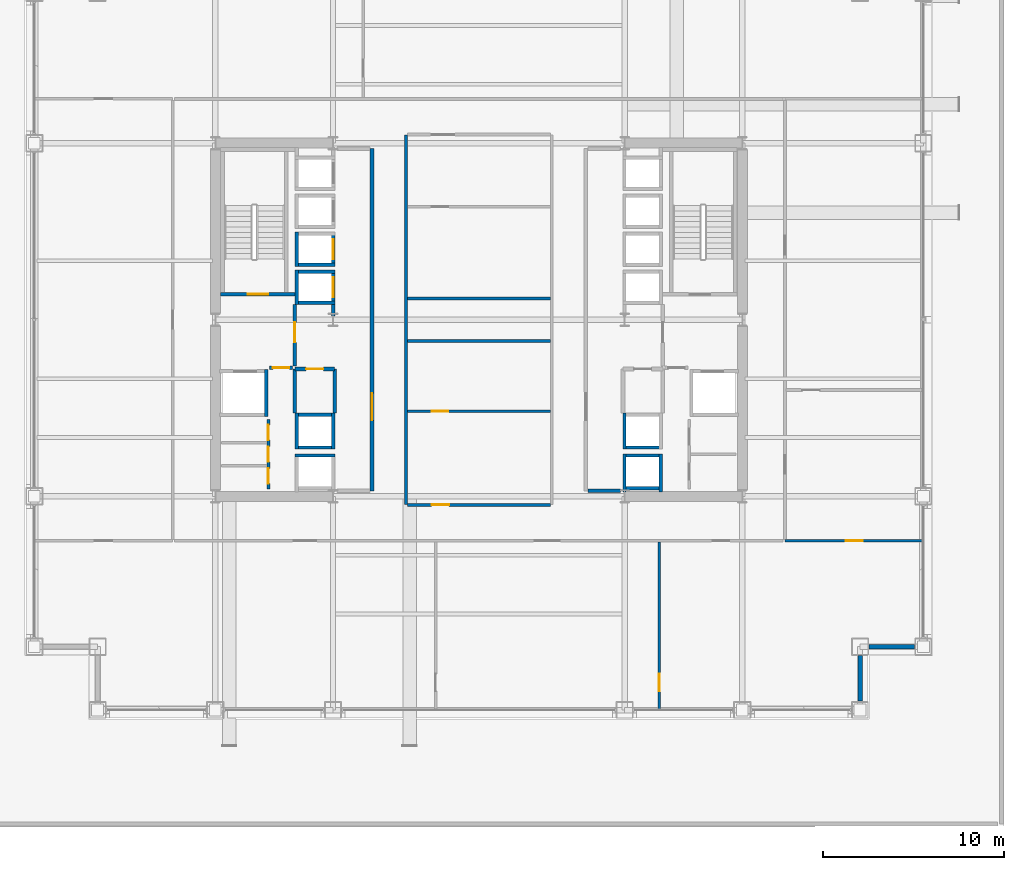
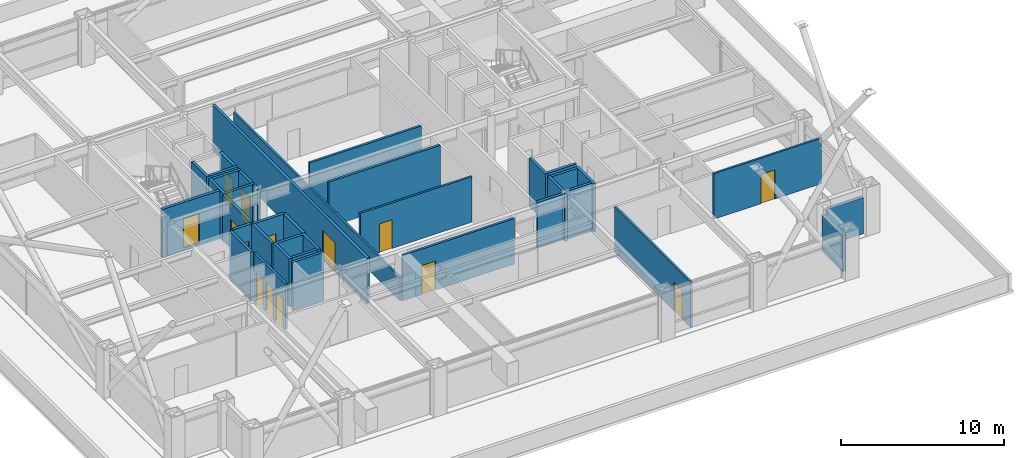
# One storey, part 30 of 33: 37 walls, 14 doors, 14 openings.
"""IFC4 building model written with IfcOpenShell, lengths in metres."""

from ifc_helpers import new_model, si_unit, direction, frame, frame_2d, origin, place, context, subcontext, project, spatial, rectangle, extrude, material, layer, layer_set, type_object, element, fill, save


model = new_model("IFC4")

# Units and contexts
model_context = context("Model", 3, precision=1e-05, world=origin(), true_north=direction((0.0, 1.0)))
body_context = subcontext(model_context, "Body", "Model", "MODEL_VIEW")
ifc_project = project(units=[si_unit("LENGTHUNIT", "METRE"), si_unit("AREAUNIT", "SQUARE_METRE"), si_unit("VOLUMEUNIT", "CUBIC_METRE"), si_unit("PLANEANGLEUNIT", "RADIAN"), si_unit("MASSUNIT", "GRAM", prefix="KILO")], contexts=[model_context])

# Site, building, storey
site_placement = place(None, origin())
site = spatial("IfcSite", under=ifc_project, at=site_placement, CompositionType="ELEMENT")
building_placement = place(site_placement, origin())
building = spatial("IfcBuilding", under=site, at=building_placement, Name="Brelmoor Portico Tower", CompositionType="ELEMENT")
storey_placement = place(building_placement, frame((0.0, 0.0, 24.0)))
storey = spatial("IfcBuildingStorey", under=building, at=storey_placement, Name="L05", CompositionType="ELEMENT", Elevation=24.0)

# Walls
ifc_material_1 = material(Name="Precast Concrete C40 Insulated Facade Wall", Category="concrete")
ifc_layer_1 = layer(ifc_material_1, 0.25)
ifc_layer_set_1 = layer_set([ifc_layer_1], Name="Precast Concrete C40 Insulated Facade Wall")
wall_type_1 = type_object("IfcWallType", Name="WL-EXT-250", PredefinedType="STANDARD", material=ifc_layer_set_1)
for number, where, z_axis, x_axis, name in (
    (1, (21.534912109375, -18.050048828125, 0.0), (0.0, 0.0, 1.0), (1.0, 0.0, 0.0), "L05 Corner Notch Facade Wall NSEH1"),
    (2, (21.050048828125, -21.06494140625, 0.0), (0.0, 0.0, 1.0), (0.0, 1.0, 0.0), "L05 Corner Notch Facade Wall NSEV1"),
):
    element("IfcWall", number, at=place(storey_placement, frame(where, z_axis=z_axis, x_axis=x_axis)), inside=storey, type_object=wall_type_1, Name=name, PredefinedType="STANDARD", context=body_context, shape_type="SweptSolid", body=[
        extrude(rectangle(XDim=2.530029296875, YDim=0.25, at=frame_2d((1.26513671875, 0.0))), origin(), (0.0, 0.0, 1.0), 2.699951171875),
    ])
ifc_material_2 = material(Name="Insulated Stud Suite Partition", Category="gypsum")
ifc_layer_2 = layer(ifc_material_2, 0.139892578125)
ifc_layer_set_2 = layer_set([ifc_layer_2], Name="Insulated Stud Suite Partition")
wall_type_2 = type_object("IfcWallType", Name="WL-PART-140", PredefinedType="PARTITIONING", material=ifc_layer_set_2)
wall_1_placement = place(storey_placement, frame((-4.02001953125, -10.199951171875, 0.0), z_axis=(0.0, 0.0, 1.0), x_axis=(0.0, 1.0, 0.0)))
element("IfcWall", 3, at=wall_1_placement, inside=storey, type_object=wall_type_2, Name="L05 Central Suite West Wall", PredefinedType="PARTITIONING", context=body_context, shape_type="SweptSolid", body=[
    extrude(rectangle(XDim=20.39990234375, YDim=0.139892578125, at=frame_2d((10.199951171875, 0.0))), origin(), (0.0, 0.0, 1.0), 1.739990234375),
])

# Wall, opening, door
wall_2_placement = place(storey_placement, frame((-3.949951171875, -5.050048828125, 0.0), z_axis=(0.0, 0.0, 1.0), x_axis=(1.0, 0.0, 0.0)))
wall_2 = element("IfcWall", 4, at=wall_2_placement, inside=storey, type_object=wall_type_2, Name="L05 Central Print Divider", PredefinedType="PARTITIONING", context=body_context, shape_type="SweptSolid", body=[
    extrude(rectangle(XDim=7.89990234375, YDim=0.139892578125, at=frame_2d((3.949951171875, 0.0))), origin(), (0.0, 0.0, 1.0), 3.39990234375),
])
opening_1_placement = place(wall_2_placement, frame((1.35009765625, 0.0, 0.0)))
opening_1 = element("IfcOpeningElement", 5, at=opening_1_placement, cuts=wall_2, Name="Opening D-IN1", PredefinedType="OPENING", context=body_context, shape_type="SweptSolid", body=[
    extrude(rectangle(XDim=0.89990234375, YDim=2.14990234375, at=frame_2d((0.449951171875, 1.074951171875))), frame((0.0, 0.079833984375, 0.0), z_axis=(0.0, -1.0, 0.0), x_axis=(1.0, 0.0, 0.0)), (0.0, 0.0, 1.0), 0.159912109375),
])
ifc_material_3 = material(Name="Lacquered Timber Suite Door", Category="wood")
door_type_1 = type_object("IfcDoorType", Name="DR-INT-900", OperationType="NOTDEFINED", PredefinedType="DOOR", material=ifc_material_3)
door_1_placement = place(opening_1_placement, origin())
door_1 = element("IfcDoor", 6, at=door_1_placement, inside=storey, type_object=door_type_1, Name="D-0231 L05 Central Print Studio Door", OperationType="SINGLE_SWING_RIGHT", OverallHeight=2.14990234375, OverallWidth=0.89990234375, PredefinedType="DOOR", context=body_context, shape_type="SweptSolid", body=[
    extrude(rectangle(XDim=0.89990234375, YDim=2.14990234375, at=frame_2d((0.449951171875, 1.074951171875))), frame((0.0, 0.02490234375, 0.0), z_axis=(0.0, -1.0, 0.0), x_axis=(1.0, 0.0, 0.0)), (0.0, 0.0, 1.0), 0.050048828125),
])
fill(opening_1, door_1)

wall_3_placement = place(storey_placement, frame((9.955078125, -21.56005859375, 0.0), z_axis=(0.0, 0.0, 1.0), x_axis=(0.0, 1.0, 0.0)))
wall_3 = element("IfcWall", 7, at=wall_3_placement, inside=storey, type_object=wall_type_2, Name="L05 South Suite Partition 2", PredefinedType="PARTITIONING", context=body_context, shape_type="SweptSolid", body=[
    extrude(rectangle(XDim=9.300048828125, YDim=0.139892578125, at=frame_2d((4.64990234375, 0.0))), origin(), (0.0, 0.0, 1.0), 3.39990234375),
])
opening_2_placement = place(wall_3_placement, frame((1.050048828125, 0.0, 0.0)))
opening_2 = element("IfcOpeningElement", 8, at=opening_2_placement, cuts=wall_3, Name="Opening D-IN2", PredefinedType="OPENING", context=body_context, shape_type="SweptSolid", body=[
    extrude(rectangle(XDim=0.9599609375, YDim=2.179931640625, at=frame_2d((0.47998046875, 1.08984375))), frame((0.0, 0.079833984375, 0.0), z_axis=(0.0, -1.0, 0.0), x_axis=(1.0, 0.0, 0.0)), (0.0, 0.0, 1.0), 0.159912109375),
])
door_type_2 = type_object("IfcDoorType", Name="DR-INT-950", OperationType="NOTDEFINED", PredefinedType="DOOR", material=ifc_material_3)
door_2_placement = place(opening_2_placement, origin())
door_2 = element("IfcDoor", 9, at=door_2_placement, inside=storey, type_object=door_type_2, Name="D-0251 L05 South Suite Connecting Door 2", OperationType="SINGLE_SWING_RIGHT", OverallHeight=2.179931640625, OverallWidth=0.9599609375, PredefinedType="DOOR", context=body_context, shape_type="SweptSolid", body=[
    extrude(rectangle(XDim=0.9599609375, YDim=2.179931640625, at=frame_2d((0.47998046875, 1.08984375))), frame((0.0, 0.02490234375, 0.0), z_axis=(0.0, -1.0, 0.0), x_axis=(1.0, 0.0, 0.0)), (0.0, 0.0, 1.0), 0.050048828125),
])
fill(opening_2, door_2)

wall_4_placement = place(storey_placement, frame((16.89990234375, -12.199951171875, 0.0), z_axis=(0.0, 0.0, 1.0), x_axis=(1.0, 0.0, 0.0)))
wall_4 = element("IfcWall", 10, at=wall_4_placement, inside=storey, type_object=wall_type_2, Name="L05 South Outer Closure ER", PredefinedType="PARTITIONING", context=body_context, shape_type="SweptSolid", body=[
    extrude(rectangle(XDim=7.66015625, YDim=0.139892578125, at=frame_2d((3.830078125, 0.0))), origin(), (0.0, 0.0, 1.0), 3.39990234375),
])
opening_3_placement = place(wall_4_placement, frame((3.35009765625, 0.0, 0.0)))
opening_3 = element("IfcOpeningElement", 11, at=opening_3_placement, cuts=wall_4, Name="Opening D-IN2", PredefinedType="OPENING", context=body_context, shape_type="SweptSolid", body=[
    extrude(rectangle(XDim=0.9599609375, YDim=2.179931640625, at=frame_2d((0.47998046875, 1.08984375))), frame((0.0, 0.079833984375, 0.0), z_axis=(0.0, -1.0, 0.0), x_axis=(1.0, 0.0, 0.0)), (0.0, 0.0, 1.0), 0.159912109375),
])
door_3_placement = place(opening_3_placement, origin())
door_3 = element("IfcDoor", 12, at=door_3_placement, inside=storey, type_object=door_type_2, Name="D-0254 L05 ER South Corner Suite Door", OperationType="SINGLE_SWING_RIGHT", OverallHeight=2.179931640625, OverallWidth=0.9599609375, PredefinedType="DOOR", context=body_context, shape_type="SweptSolid", body=[
    extrude(rectangle(XDim=0.9599609375, YDim=2.179931640625, at=frame_2d((0.47998046875, 1.08984375))), frame((0.0, 0.02490234375, 0.0), z_axis=(0.0, -1.0, 0.0), x_axis=(1.0, 0.0, 0.0)), (0.0, 0.0, 1.0), 0.050048828125),
])
fill(opening_3, door_3)

# Wall, openings, doors
ifc_material_4 = material(Name="Twin-Frame Acoustic Partition", Category="gypsum")
ifc_layer_3 = layer(ifc_material_4, 0.159912109375)
ifc_layer_set_3 = layer_set([ifc_layer_3], Name="Twin-Frame Acoustic Partition")
wall_type_3 = type_object("IfcWallType", Name="WL-PART-160", PredefinedType="PARTITIONING", material=ifc_layer_set_3)
wall_5_placement = place(storey_placement, frame((-11.6201171875, -9.35009765625, 0.0), z_axis=(0.0, 0.0, 1.0), x_axis=(0.0, 1.0, 0.0)))
wall_5 = element("IfcWall", 13, at=wall_5_placement, inside=storey, type_object=wall_type_3, Name="L05 W Core Service Front Wall", PredefinedType="PARTITIONING", context=body_context, shape_type="SweptSolid", body=[
    extrude(rectangle(XDim=3.85009765625, YDim=0.159912109375, at=frame_2d((1.925048828125, 0.0))), origin(), (0.0, 0.0, 1.0), 3.39990234375),
])
opening_4_placement = place(wall_5_placement, frame((0.300048828125, 0.0, 0.0)))
opening_4 = element("IfcOpeningElement", 14, at=opening_4_placement, cuts=wall_5, Name="Opening D-WC1", PredefinedType="OPENING", context=body_context, shape_type="SweptSolid", body=[
    extrude(rectangle(XDim=0.85009765625, YDim=2.1201171875, at=frame_2d((0.425048828125, 1.06005859375))), frame((0.0, 0.08984375, 0.0), z_axis=(0.0, -1.0, 0.0), x_axis=(1.0, 0.0, 0.0)), (0.0, 0.0, 1.0), 0.179931640625),
])
opening_5_placement = place(wall_5_placement, frame((1.5, 0.0, 0.0)))
opening_5 = element("IfcOpeningElement", 15, at=opening_5_placement, cuts=wall_5, Name="Opening D-WC1", PredefinedType="OPENING", context=body_context, shape_type="SweptSolid", body=[
    extrude(rectangle(XDim=0.85009765625, YDim=2.1201171875, at=frame_2d((0.425048828125, 1.06005859375))), frame((0.0, 0.08984375, 0.0), z_axis=(0.0, -1.0, 0.0), x_axis=(1.0, 0.0, 0.0)), (0.0, 0.0, 1.0), 0.179931640625),
])
opening_6_placement = place(wall_5_placement, frame((2.699951171875, 0.0, 0.0)))
opening_6 = element("IfcOpeningElement", 16, at=opening_6_placement, cuts=wall_5, Name="Opening D-WC1", PredefinedType="OPENING", context=body_context, shape_type="SweptSolid", body=[
    extrude(rectangle(XDim=0.85009765625, YDim=2.1201171875, at=frame_2d((0.425048828125, 1.06005859375))), frame((0.0, 0.08984375, 0.0), z_axis=(0.0, -1.0, 0.0), x_axis=(1.0, 0.0, 0.0)), (0.0, 0.0, 1.0), 0.179931640625),
])
ifc_material_5 = material(Name="Moisture-Resistant Laminate WC Door", Category="timber")
door_type_3 = type_object("IfcDoorType", Name="DR-WC-850", OperationType="NOTDEFINED", PredefinedType="DOOR", material=ifc_material_5)
door_4_placement = place(opening_4_placement, origin())
door_4 = element("IfcDoor", 17, at=door_4_placement, inside=storey, type_object=door_type_3, Name="D-0236 L05 W Accessible WC Door", OperationType="SINGLE_SWING_LEFT", OverallHeight=2.1201171875, OverallWidth=0.85009765625, PredefinedType="DOOR", context=body_context, shape_type="SweptSolid", body=[
    extrude(rectangle(XDim=0.85009765625, YDim=2.1201171875, at=frame_2d((0.425048828125, 1.06005859375))), frame((0.0, 0.02490234375, 0.0), z_axis=(0.0, -1.0, 0.0), x_axis=(1.0, 0.0, 0.0)), (0.0, 0.0, 1.0), 0.050048828125),
])
fill(opening_4, door_4)
door_5_placement = place(opening_5_placement, origin())
door_5 = element("IfcDoor", 18, at=door_5_placement, inside=storey, type_object=door_type_3, Name="D-0237 L05 W Staff WC Door", OperationType="SINGLE_SWING_RIGHT", OverallHeight=2.1201171875, OverallWidth=0.85009765625, PredefinedType="DOOR", context=body_context, shape_type="SweptSolid", body=[
    extrude(rectangle(XDim=0.85009765625, YDim=2.1201171875, at=frame_2d((0.425048828125, 1.06005859375))), frame((0.0, 0.02490234375, 0.0), z_axis=(0.0, -1.0, 0.0), x_axis=(1.0, 0.0, 0.0)), (0.0, 0.0, 1.0), 0.050048828125),
])
fill(opening_5, door_5)
door_6_placement = place(opening_6_placement, origin())
door_6 = element("IfcDoor", 19, at=door_6_placement, inside=storey, type_object=door_type_3, Name="D-0238 L05 W Cleaner Store Door", OperationType="SINGLE_SWING_LEFT", OverallHeight=2.1201171875, OverallWidth=0.85009765625, PredefinedType="DOOR", context=body_context, shape_type="SweptSolid", body=[
    extrude(rectangle(XDim=0.85009765625, YDim=2.1201171875, at=frame_2d((0.425048828125, 1.06005859375))), frame((0.0, 0.02490234375, 0.0), z_axis=(0.0, -1.0, 0.0), x_axis=(1.0, 0.0, 0.0)), (0.0, 0.0, 1.0), 0.050048828125),
])
fill(opening_6, door_6)

# Walls
for number, where, z_axis, x_axis, name in (
    (20, (-3.949951171875, 1.179931640625, 0.0), (0.0, 0.0, 1.0), (1.0, 0.0, 0.0), "L05 Central Meeting South Wall"),
    (21, (-3.949951171875, -1.179931640625, 0.0), (0.0, 0.0, 1.0), (1.0, 0.0, 0.0), "L05 Central Pantry North Wall"),
):
    element("IfcWall", number, at=place(storey_placement, frame(where, z_axis=z_axis, x_axis=x_axis)), inside=storey, type_object=wall_type_3, Name=name, PredefinedType="PARTITIONING", context=body_context, shape_type="SweptSolid", body=[
        extrude(rectangle(XDim=7.89990234375, YDim=0.159912109375, at=frame_2d((3.949951171875, 0.0))), origin(), (0.0, 0.0, 1.0), 3.39990234375),
    ])

# Wall, opening, door
wall_6_placement = place(storey_placement, frame((-3.949951171875, -10.219970703125, 0.0), z_axis=(0.0, 0.0, 1.0), x_axis=(1.0, 0.0, 0.0)))
wall_6 = element("IfcWall", 22, at=wall_6_placement, inside=storey, type_object=wall_type_3, Name="L05 Central Pantry Corridor Wall", PredefinedType="PARTITIONING", context=body_context, shape_type="SweptSolid", body=[
    extrude(rectangle(XDim=7.89990234375, YDim=0.159912109375, at=frame_2d((3.949951171875, 0.0))), origin(), (0.0, 0.0, 1.0), 3.39990234375),
])
opening_7_placement = place(wall_6_placement, frame((1.35009765625, 0.0, 0.0)))
opening_7 = element("IfcOpeningElement", 23, at=opening_7_placement, cuts=wall_6, Name="Opening D-IN2", PredefinedType="OPENING", context=body_context, shape_type="SweptSolid", body=[
    extrude(rectangle(XDim=0.9599609375, YDim=2.179931640625, at=frame_2d((0.47998046875, 1.08984375))), frame((0.0, 0.08984375, 0.0), z_axis=(0.0, -1.0, 0.0), x_axis=(1.0, 0.0, 0.0)), (0.0, 0.0, 1.0), 0.179931640625),
])
door_7_placement = place(opening_7_placement, origin())
door_7 = element("IfcDoor", 24, at=door_7_placement, inside=storey, type_object=door_type_2, Name="D-0230 L05 Staff Pantry Door", OperationType="SINGLE_SWING_RIGHT", OverallHeight=2.179931640625, OverallWidth=0.9599609375, PredefinedType="DOOR", context=body_context, shape_type="SweptSolid", body=[
    extrude(rectangle(XDim=0.9599609375, YDim=2.179931640625, at=frame_2d((0.47998046875, 1.08984375))), frame((0.0, 0.02490234375, 0.0), z_axis=(0.0, -1.0, 0.0), x_axis=(1.0, 0.0, 0.0)), (0.0, 0.0, 1.0), 0.050048828125),
])
fill(opening_7, door_7)

ifc_material_6 = material(Name="Double-Stud Gypsum Fire Partition", Category="gypsum")
ifc_layer_4 = layer(ifc_material_6, 0.199951171875)
ifc_layer_set_4 = layer_set([ifc_layer_4], Name="Double-Stud Gypsum Fire Partition")
wall_type_4 = type_object("IfcWallType", Name="WL-PART-200", PredefinedType="PARTITIONING", material=ifc_layer_set_4)
wall_7_placement = place(storey_placement, frame((-5.89990234375, -9.449951171875, 0.0), z_axis=(0.0, 0.0, 1.0), x_axis=(0.0, 1.0, 0.0)))
wall_7 = element("IfcWall", 25, at=wall_7_placement, inside=storey, type_object=wall_type_4, Name="L05 W Core Lobby Compartment Wall", PredefinedType="PARTITIONING", context=body_context, shape_type="SweptSolid", body=[
    extrude(rectangle(XDim=18.89990234375, YDim=0.199951171875, at=frame_2d((9.449951171875, 0.0))), origin(), (0.0, 0.0, 1.0), 3.39990234375),
])
opening_8_placement = place(wall_7_placement, frame((3.89990234375, 0.0, 0.0)))
opening_8 = element("IfcOpeningElement", 26, at=opening_8_placement, cuts=wall_7, Name="Opening D-LB1", PredefinedType="OPENING", context=body_context, shape_type="SweptSolid", body=[
    extrude(rectangle(XDim=1.5, YDim=2.199951171875, at=frame_2d((0.75, 1.10009765625))), frame((0.0, 0.10986328125, 0.0), z_axis=(0.0, -1.0, 0.0), x_axis=(1.0, 0.0, 0.0)), (0.0, 0.0, 1.0), 0.219970703125),
])
ifc_material_7 = material(Name="Double-Leaf Glazed Steel Fire Door", Category="steel")
door_type_4 = type_object("IfcDoorType", Name="DR-LOBBY-1500", OperationType="NOTDEFINED", PredefinedType="DOOR", material=ifc_material_7)
door_8_placement = place(opening_8_placement, origin())
door_8 = element("IfcDoor", 27, at=door_8_placement, inside=storey, type_object=door_type_4, Name="D-0244 L05 W Lift Lobby Main Door", OperationType="DOUBLE_DOOR_SINGLE_SWING", OverallHeight=2.199951171875, OverallWidth=1.5, PredefinedType="DOOR", context=body_context, shape_type="SweptSolid", body=[
    extrude(rectangle(XDim=1.5, YDim=2.199951171875, at=frame_2d((0.75, 1.10009765625))), frame((0.0, 0.02490234375, 0.0), z_axis=(0.0, -1.0, 0.0), x_axis=(1.0, 0.0, 0.0)), (0.0, 0.0, 1.0), 0.050048828125),
])
fill(opening_8, door_8)

wall_8_placement = place(storey_placement, frame((-10.159912109375, -2.550048828125, 0.0), z_axis=(0.0, 0.0, 1.0), x_axis=(0.0, 1.0, 0.0)))
wall_8 = element("IfcWall", 28, at=wall_8_placement, inside=storey, type_object=wall_type_4, Name="L05 W Firefighting Lobby Wall", PredefinedType="PARTITIONING", context=body_context, shape_type="SweptSolid", body=[
    extrude(rectangle(XDim=3.400146484375, YDim=0.199951171875, at=frame_2d((1.7001953125, 0.0))), origin(), (0.0, 0.0, 1.0), 3.39990234375),
])
opening_9_placement = place(wall_8_placement, frame((1.300048828125, 0.0, 0.0)))
opening_9 = element("IfcOpeningElement", 29, at=opening_9_placement, cuts=wall_8, Name="Opening D-FR1", PredefinedType="OPENING", context=body_context, shape_type="SweptSolid", body=[
    extrude(rectangle(XDim=1.10009765625, YDim=2.14990234375, at=frame_2d((0.550048828125, 1.074951171875))), frame((0.0, 0.10986328125, 0.0), z_axis=(0.0, -1.0, 0.0), x_axis=(1.0, 0.0, 0.0)), (0.0, 0.0, 1.0), 0.219970703125),
])
ifc_material_8 = material(Name="Painted Galvanised Steel Fire Door", Category="steel")
door_type_5 = type_object("IfcDoorType", Name="DR-FIRE-1100", OperationType="NOTDEFINED", PredefinedType="DOOR", material=ifc_material_8)
door_9_placement = place(opening_9_placement, origin())
door_9 = element("IfcDoor", 30, at=door_9_placement, inside=storey, type_object=door_type_5, Name="D-0242 L05 W Firefighting Lobby Door", OperationType="SINGLE_SWING_RIGHT", OverallHeight=2.14990234375, OverallWidth=1.10009765625, PredefinedType="DOOR", context=body_context, shape_type="SweptSolid", body=[
    extrude(rectangle(XDim=1.10009765625, YDim=2.14990234375, at=frame_2d((0.550048828125, 1.074951171875))), frame((0.0, 0.02490234375, 0.0), z_axis=(0.0, -1.0, 0.0), x_axis=(1.0, 0.0, 0.0)), (0.0, 0.0, 1.0), 0.050048828125),
])
fill(opening_9, door_9)

wall_9_placement = place(storey_placement, frame((-10.280029296875, -2.64990234375, 0.0), z_axis=(0.0, 0.0, 1.0), x_axis=(-1.0, 0.0, 0.0)))
wall_9 = element("IfcWall", 31, at=wall_9_placement, inside=storey, type_object=wall_type_4, Name="L05 W Firefighting Lobby South Wall", PredefinedType="PARTITIONING", context=body_context, shape_type="SweptSolid", body=[
    extrude(rectangle(XDim=1.27001953125, YDim=0.199951171875, at=frame_2d((0.635009765625, 0.0))), origin(), (0.0, 0.0, 1.0), 3.39990234375),
])
opening_10_placement = place(wall_9_placement, frame((0.18505859375, 0.0, 0.0)))
opening_10 = element("IfcOpeningElement", 32, at=opening_10_placement, cuts=wall_9, Name="Opening D-IN1", PredefinedType="OPENING", context=body_context, shape_type="SweptSolid", body=[
    extrude(rectangle(XDim=0.89990234375, YDim=2.14990234375, at=frame_2d((0.449951171875, 1.074951171875))), frame((0.0, 0.10986328125, 0.0), z_axis=(0.0, -1.0, 0.0), x_axis=(1.0, 0.0, 0.0)), (0.0, 0.0, 1.0), 0.219970703125),
])
door_10_placement = place(opening_10_placement, origin())
door_10 = element("IfcDoor", 33, at=door_10_placement, inside=storey, type_object=door_type_1, Name="D-0235 L05 W Core Service Vestibule Door", OperationType="SINGLE_SWING_LEFT", OverallHeight=2.14990234375, OverallWidth=0.89990234375, PredefinedType="DOOR", context=body_context, shape_type="SweptSolid", body=[
    extrude(rectangle(XDim=0.89990234375, YDim=2.14990234375, at=frame_2d((0.449951171875, 1.074951171875))), frame((0.0, 0.02490234375, 0.0), z_axis=(0.0, -1.0, 0.0), x_axis=(1.0, 0.0, 0.0)), (0.0, 0.0, 1.0), 0.050048828125),
])
fill(opening_10, door_10)

wall_10_placement = place(storey_placement, frame((-7.9599609375, -2.719970703125, 0.0), z_axis=(0.0, 0.0, 1.0), x_axis=(-1.0, 0.0, 0.0)))
wall_10 = element("IfcWall", 34, at=wall_10_placement, inside=storey, type_object=wall_type_4, Name="L05 W Electrical Switchgear Closet Wall", PredefinedType="PARTITIONING", context=body_context, shape_type="SweptSolid", body=[
    extrude(rectangle(XDim=2.199951171875, YDim=0.199951171875, at=frame_2d((1.10009765625, 0.0))), origin(), (0.0, 0.0, 1.0), 3.39990234375),
])
opening_11_placement = place(wall_10_placement, frame((0.6201171875, 0.0, 0.0)))
opening_11 = element("IfcOpeningElement", 35, at=opening_11_placement, cuts=wall_10, Name="Opening D-FR4", PredefinedType="OPENING", context=body_context, shape_type="SweptSolid", body=[
    extrude(rectangle(XDim=0.949951171875, YDim=2.10009765625, at=frame_2d((0.47509765625, 1.050048828125))), frame((0.0, 0.10986328125, 0.0), z_axis=(0.0, -1.0, 0.0), x_axis=(1.0, 0.0, 0.0)), (0.0, 0.0, 1.0), 0.219970703125),
])
ifc_material_9 = material(Name="Painted Galvanised Steel Riser Door", Category="steel")
door_type_6 = type_object("IfcDoorType", Name="DR-FIRE-950", OperationType="NOTDEFINED", PredefinedType="DOOR", material=ifc_material_9)
door_11_placement = place(opening_11_placement, origin())
door_11 = element("IfcDoor", 36, at=door_11_placement, inside=storey, type_object=door_type_6, Name="D-0240 L05 W Electrical Switchgear Closet Door", OperationType="SINGLE_SWING_RIGHT", OverallHeight=2.10009765625, OverallWidth=0.949951171875, PredefinedType="DOOR", context=body_context, shape_type="SweptSolid", body=[
    extrude(rectangle(XDim=0.949951171875, YDim=2.10009765625, at=frame_2d((0.47509765625, 1.050048828125))), frame((0.0, 0.02490234375, 0.0), z_axis=(0.0, -1.0, 0.0), x_axis=(1.0, 0.0, 0.0)), (0.0, 0.0, 1.0), 0.050048828125),
])
fill(opening_11, door_11)

# Walls
for number, where, z_axis, x_axis, name in (
    (37, (-7.9599609375, -5.159912109375, 0.0), (0.0, 0.0, 1.0), (0.0, 1.0, 0.0), "L05 W Electrical Switchgear Closet Inner Wall"),
    (38, (-10.159912109375, -5.159912109375, 0.0), (0.0, 0.0, 1.0), (0.0, 1.0, 0.0), "L05 W Electrical Switchgear Closet Outer Wall"),
):
    element("IfcWall", number, at=place(storey_placement, frame(where, z_axis=z_axis, x_axis=x_axis)), inside=storey, type_object=wall_type_4, Name=name, PredefinedType="PARTITIONING", context=body_context, shape_type="SweptSolid", body=[
        extrude(rectangle(XDim=2.43994140625, YDim=0.199951171875, at=frame_2d((1.219970703125, 0.0))), origin(), (0.0, 0.0, 1.0), 3.39990234375),
    ])
wall_11_placement = place(storey_placement, frame((6.02001953125, -9.449951171875, 0.0), z_axis=(0.0, 0.0, 1.0), x_axis=(1.0, 0.0, 0.0)))
element("IfcWall", 39, at=wall_11_placement, inside=storey, type_object=wall_type_4, Name="L05 E Lift Lobby South End Wall", PredefinedType="PARTITIONING", context=body_context, shape_type="SweptSolid", body=[
    extrude(rectangle(XDim=1.800048828125, YDim=0.199951171875, at=frame_2d((0.89990234375, 0.0))), origin(), (0.0, 0.0, 1.0), 3.39990234375),
])

# Wall, opening, door
ifc_material_10 = material(Name="Precast Concrete C40", Category="concrete")
ifc_layer_5 = layer(ifc_material_10, 0.18994140625)
ifc_layer_set_5 = layer_set([ifc_layer_5], Name="Precast Concrete C40")
wall_type_5 = type_object("IfcWallType", Name="WL-SHAFT-180", PredefinedType="SOLIDWALL", material=ifc_layer_set_5)
wall_12_placement = place(storey_placement, frame((-8.044921875, 0.2099609375, -0.199951171875), z_axis=(0.0, 0.0, 1.0), x_axis=(0.0, 1.0, 0.0)))
wall_12 = element("IfcWall", 40, at=wall_12_placement, inside=storey, type_object=wall_type_5, Name="L05 Lift PL1 Hoistway Front Wall", PredefinedType="SOLIDWALL", context=body_context, shape_type="SweptSolid", body=[
    extrude(rectangle(XDim=2.5400390625, YDim=0.18994140625, at=frame_2d((1.27001953125, 0.0))), origin(), (0.0, 0.0, 1.0), 3.599853515625),
])
opening_12_placement = place(wall_12_placement, frame((1.0400390625, 0.0, 0.199951171875)))
opening_12 = element("IfcOpeningElement", 41, at=opening_12_placement, cuts=wall_12, Name="Opening LD-01", PredefinedType="OPENING", context=body_context, shape_type="SweptSolid", body=[
    extrude(rectangle(XDim=1.10009765625, YDim=2.199951171875, at=frame_2d((0.550048828125, 1.10009765625))), frame((0.0, 0.10498046875, 0.0), z_axis=(0.0, -1.0, 0.0), x_axis=(1.0, 0.0, 0.0)), (0.0, 0.0, 1.0), 0.2099609375),
])
ifc_material_11 = material(Name="Brushed Stainless Steel Sliding Lift Door", Category="steel")
door_type_7 = type_object("IfcDoorType", Name="DR-LIFT-1100", OperationType="NOTDEFINED", PredefinedType="DOOR", material=ifc_material_11)
door_12_placement = place(opening_12_placement, origin())
door_12 = element("IfcDoor", 42, at=door_12_placement, inside=storey, type_object=door_type_7, Name="D-0262 L05 Lift PL1 Sliding Landing Door", OperationType="SLIDING_TO_LEFT", OverallHeight=2.199951171875, OverallWidth=1.10009765625, PredefinedType="DOOR", context=body_context, shape_type="SweptSolid", body=[
    extrude(rectangle(XDim=1.10009765625, YDim=2.199951171875, at=frame_2d((0.550048828125, 1.10009765625))), frame((0.0, 0.02490234375, 0.0), z_axis=(0.0, -1.0, 0.0), x_axis=(1.0, 0.0, 0.0)), (0.0, 0.0, 1.0), 0.050048828125),
])
fill(opening_12, door_12)

# Walls
wall_13_placement = place(storey_placement, frame((-10.054931640625, 0.85009765625, -0.199951171875), z_axis=(0.0, 0.0, 1.0), x_axis=(0.0, 1.0, 0.0)))
element("IfcWall", 43, at=wall_13_placement, inside=storey, type_object=wall_type_5, Name="L05 Lift PL1 Hoistway Back Wall", PredefinedType="SOLIDWALL", context=body_context, shape_type="SweptSolid", body=[
    extrude(rectangle(XDim=1.89990234375, YDim=0.18994140625, at=frame_2d((0.949951171875, 0.0))), origin(), (0.0, 0.0, 1.0), 3.599853515625),
])
for number, where, z_axis, x_axis, name in (
    (44, (-10.14990234375, 2.655029296875, -0.199951171875), (0.0, 0.0, 1.0), (1.0, 0.0, 0.0), "L05 Lift PL1 Hoistway North Wall"),
    (45, (-10.14990234375, 0.945068359375, -0.199951171875), (0.0, 0.0, 1.0), (1.0, 0.0, 0.0), "L05 Lift PL1 Hoistway South Wall"),
):
    element("IfcWall", number, at=place(storey_placement, frame(where, z_axis=z_axis, x_axis=x_axis)), inside=storey, type_object=wall_type_5, Name=name, PredefinedType="SOLIDWALL", context=body_context, shape_type="SweptSolid", body=[
        extrude(rectangle(XDim=2.199951171875, YDim=0.18994140625, at=frame_2d((1.10009765625, 0.0))), origin(), (0.0, 0.0, 1.0), 3.599853515625),
    ])

# Wall, opening, door
wall_14_placement = place(storey_placement, frame((-8.044921875, 2.949951171875, -0.199951171875), z_axis=(0.0, 0.0, 1.0), x_axis=(0.0, 1.0, 0.0)))
wall_14 = element("IfcWall", 46, at=wall_14_placement, inside=storey, type_object=wall_type_5, Name="L05 Lift PL2 Hoistway Front Wall", PredefinedType="SOLIDWALL", context=body_context, shape_type="SweptSolid", body=[
    extrude(rectangle(XDim=1.900146484375, YDim=0.18994140625, at=frame_2d((0.9501953125, 0.0))), origin(), (0.0, 0.0, 1.0), 3.599853515625),
])
opening_13_placement = place(wall_14_placement, frame((0.39990234375, 0.0, 0.199951171875)))
opening_13 = element("IfcOpeningElement", 47, at=opening_13_placement, cuts=wall_14, Name="Opening LD-01", PredefinedType="OPENING", context=body_context, shape_type="SweptSolid", body=[
    extrude(rectangle(XDim=1.10009765625, YDim=2.199951171875, at=frame_2d((0.550048828125, 1.10009765625))), frame((0.0, 0.10498046875, 0.0), z_axis=(0.0, -1.0, 0.0), x_axis=(1.0, 0.0, 0.0)), (0.0, 0.0, 1.0), 0.2099609375),
])
door_13_placement = place(opening_13_placement, origin())
door_13 = element("IfcDoor", 48, at=door_13_placement, inside=storey, type_object=door_type_7, Name="D-0263 L05 Lift PL2 Sliding Landing Door", OperationType="SLIDING_TO_LEFT", OverallHeight=2.199951171875, OverallWidth=1.10009765625, PredefinedType="DOOR", context=body_context, shape_type="SweptSolid", body=[
    extrude(rectangle(XDim=1.10009765625, YDim=2.199951171875, at=frame_2d((0.550048828125, 1.10009765625))), frame((0.0, 0.02490234375, 0.0), z_axis=(0.0, -1.0, 0.0), x_axis=(1.0, 0.0, 0.0)), (0.0, 0.0, 1.0), 0.050048828125),
])
fill(opening_13, door_13)

# Walls
wall_15_placement = place(storey_placement, frame((-10.054931640625, 2.949951171875, -0.199951171875), z_axis=(0.0, 0.0, 1.0), x_axis=(0.0, 1.0, 0.0)))
element("IfcWall", 49, at=wall_15_placement, inside=storey, type_object=wall_type_5, Name="L05 Lift PL2 Hoistway Back Wall", PredefinedType="SOLIDWALL", context=body_context, shape_type="SweptSolid", body=[
    extrude(rectangle(XDim=1.900146484375, YDim=0.18994140625, at=frame_2d((0.9501953125, 0.0))), origin(), (0.0, 0.0, 1.0), 3.599853515625),
])
for number, where, z_axis, x_axis, name in (
    (50, (-10.14990234375, 3.044921875, -0.199951171875), (0.0, 0.0, 1.0), (1.0, 0.0, 0.0), "L05 Lift PL2 Hoistway South Wall"),
    (51, (-10.14990234375, -7.4951171875, -0.199951171875), (0.0, 0.0, 1.0), (1.0, 0.0, 0.0), "L05 Lift PH1 Hoistway North Wall"),
):
    element("IfcWall", number, at=place(storey_placement, frame(where, z_axis=z_axis, x_axis=x_axis)), inside=storey, type_object=wall_type_5, Name=name, PredefinedType="SOLIDWALL", context=body_context, shape_type="SweptSolid", body=[
        extrude(rectangle(XDim=2.199951171875, YDim=0.18994140625, at=frame_2d((1.10009765625, 0.0))), origin(), (0.0, 0.0, 1.0), 3.599853515625),
    ])
for number, where, z_axis, x_axis, name in (
    (52, (-8.044921875, -7.14990234375, -0.199951171875), (0.0, 0.0, 1.0), (0.0, 1.0, 0.0), "L05 Lift PH2 Hoistway Front Wall"),
    (53, (-10.054931640625, -7.14990234375, -0.199951171875), (0.0, 0.0, 1.0), (0.0, 1.0, 0.0), "L05 Lift PH2 Hoistway Back Wall"),
):
    element("IfcWall", number, at=place(storey_placement, frame(where, z_axis=z_axis, x_axis=x_axis)), inside=storey, type_object=wall_type_5, Name=name, PredefinedType="SOLIDWALL", context=body_context, shape_type="SweptSolid", body=[
        extrude(rectangle(XDim=2.0, YDim=0.18994140625, at=frame_2d((1.0, 0.0))), origin(), (0.0, 0.0, 1.0), 3.599853515625),
    ])
for number, where, z_axis, x_axis, name in (
    (54, (-10.14990234375, -5.2451171875, -0.199951171875), (0.0, 0.0, 1.0), (1.0, 0.0, 0.0), "L05 Lift PH2 Hoistway North Wall"),
    (55, (-10.14990234375, -7.054931640625, -0.199951171875), (0.0, 0.0, 1.0), (1.0, 0.0, 0.0), "L05 Lift PH2 Hoistway South Wall"),
):
    element("IfcWall", number, at=place(storey_placement, frame(where, z_axis=z_axis, x_axis=x_axis)), inside=storey, type_object=wall_type_5, Name=name, PredefinedType="SOLIDWALL", context=body_context, shape_type="SweptSolid", body=[
        extrude(rectangle(XDim=2.199951171875, YDim=0.18994140625, at=frame_2d((1.10009765625, 0.0))), origin(), (0.0, 0.0, 1.0), 3.599853515625),
    ])
for number, where, z_axis, x_axis, name in (
    (56, (8.044921875, -9.52001953125, -0.199951171875), (0.0, 0.0, 1.0), (0.0, 1.0, 0.0), "L05 Lift PH3 Hoistway Front Wall"),
    (57, (10.054931640625, -9.52001953125, -0.199951171875), (0.0, 0.0, 1.0), (0.0, 1.0, 0.0), "L05 Lift PH3 Hoistway Back Wall"),
):
    element("IfcWall", number, at=place(storey_placement, frame(where, z_axis=z_axis, x_axis=x_axis)), inside=storey, type_object=wall_type_5, Name=name, PredefinedType="SOLIDWALL", context=body_context, shape_type="SweptSolid", body=[
        extrude(rectangle(XDim=2.1201171875, YDim=0.18994140625, at=frame_2d((1.06005859375, 0.0))), origin(), (0.0, 0.0, 1.0), 3.599853515625),
    ])
for number, where, z_axis, x_axis, name in (
    (58, (7.949951171875, -7.4951171875, -0.199951171875), (0.0, 0.0, 1.0), (1.0, 0.0, 0.0), "L05 Lift PH3 Hoistway North Wall"),
    (59, (7.949951171875, -9.304931640625, -0.199951171875), (0.0, 0.0, 1.0), (1.0, 0.0, 0.0), "L05 Lift PH3 Hoistway South Wall"),
):
    element("IfcWall", number, at=place(storey_placement, frame(where, z_axis=z_axis, x_axis=x_axis)), inside=storey, type_object=wall_type_5, Name=name, PredefinedType="SOLIDWALL", context=body_context, shape_type="SweptSolid", body=[
        extrude(rectangle(XDim=2.199951171875, YDim=0.18994140625, at=frame_2d((1.10009765625, 0.0))), origin(), (0.0, 0.0, 1.0), 3.599853515625),
    ])
wall_16_placement = place(storey_placement, frame((8.044921875, -7.14990234375, -0.199951171875), z_axis=(0.0, 0.0, 1.0), x_axis=(0.0, 1.0, 0.0)))
element("IfcWall", 60, at=wall_16_placement, inside=storey, type_object=wall_type_5, Name="L05 Lift PH4 Hoistway Front Wall", PredefinedType="SOLIDWALL", context=body_context, shape_type="SweptSolid", body=[
    extrude(rectangle(XDim=2.0, YDim=0.18994140625, at=frame_2d((1.0, 0.0))), origin(), (0.0, 0.0, 1.0), 3.599853515625),
])
wall_17_placement = place(storey_placement, frame((7.949951171875, -7.054931640625, -0.199951171875), z_axis=(0.0, 0.0, 1.0), x_axis=(1.0, 0.0, 0.0)))
element("IfcWall", 61, at=wall_17_placement, inside=storey, type_object=wall_type_5, Name="L05 Lift PH4 Hoistway South Wall", PredefinedType="SOLIDWALL", context=body_context, shape_type="SweptSolid", body=[
    extrude(rectangle(XDim=2.199951171875, YDim=0.18994140625, at=frame_2d((1.10009765625, 0.0))), origin(), (0.0, 0.0, 1.0), 3.599853515625),
])
wall_18_placement = place(storey_placement, frame((-11.7451171875, -5.35009765625, -0.199951171875), z_axis=(0.0, 0.0, 1.0), x_axis=(0.0, 1.0, 0.0)))
element("IfcWall", 62, at=wall_18_placement, inside=storey, type_object=wall_type_5, Name="L05 Firefighting Lift FF1 Inner Wall", PredefinedType="SOLIDWALL", context=body_context, shape_type="SweptSolid", body=[
    extrude(rectangle(XDim=2.60009765625, YDim=0.18994140625, at=frame_2d((1.300048828125, 0.0))), origin(), (0.0, 0.0, 1.0), 3.599853515625),
])

# Wall, opening, door
ifc_material_12 = material(Name="Concrete C40", Category="concrete")
ifc_layer_6 = layer(ifc_material_12, 0.199951171875)
ifc_layer_set_6 = layer_set([ifc_layer_6], Name="Concrete C40")
wall_type_6 = type_object("IfcWallType", Name="WL-SHAFT-RC200", PredefinedType="SOLIDWALL", material=ifc_layer_set_6)
wall_19_placement = place(storey_placement, frame((-14.25, 1.39990234375, -0.199951171875), z_axis=(0.0, 0.0, 1.0), x_axis=(1.0, 0.0, 0.0)))
wall_19 = element("IfcWall", 63, at=wall_19_placement, inside=storey, type_object=wall_type_6, Name="L05 ST-W Structural Stair Wall S", PredefinedType="SOLIDWALL", context=body_context, shape_type="SweptSolid", body=[
    extrude(rectangle(XDim=4.10009765625, YDim=0.199951171875, at=frame_2d((2.050048828125, 0.0))), origin(), (0.0, 0.0, 1.0), 3.599853515625),
])
opening_14_placement = place(wall_19_placement, frame((1.5, 0.0, 0.199951171875)))
opening_14 = element("IfcOpeningElement", 64, at=opening_14_placement, cuts=wall_19, Name="Opening D-ST1", PredefinedType="OPENING", context=body_context, shape_type="SweptSolid", body=[
    extrude(rectangle(XDim=1.1201171875, YDim=2.179931640625, at=frame_2d((0.56005859375, 1.08984375))), frame((0.0, 0.10986328125, 0.0), z_axis=(0.0, -1.0, 0.0), x_axis=(1.0, 0.0, 0.0)), (0.0, 0.0, 1.0), 0.219970703125),
])
door_type_8 = type_object("IfcDoorType", Name="DR-STAIR-1100", OperationType="NOTDEFINED", PredefinedType="DOOR", material=ifc_material_8)
door_14_placement = place(opening_14_placement, origin())
door_14 = element("IfcDoor", 65, at=door_14_placement, inside=storey, type_object=door_type_8, Name="D-0253 L05 ST-W Protected Exit Stair Door", OperationType="SINGLE_SWING_LEFT", OverallHeight=2.179931640625, OverallWidth=1.1201171875, PredefinedType="DOOR", context=body_context, shape_type="SweptSolid", body=[
    extrude(rectangle(XDim=1.1201171875, YDim=2.179931640625, at=frame_2d((0.56005859375, 1.08984375))), frame((0.0, 0.02490234375, 0.0), z_axis=(0.0, -1.0, 0.0), x_axis=(1.0, 0.0, 0.0)), (0.0, 0.0, 1.0), 0.050048828125),
])
fill(opening_14, door_14)

save(model, "model.ifc")
